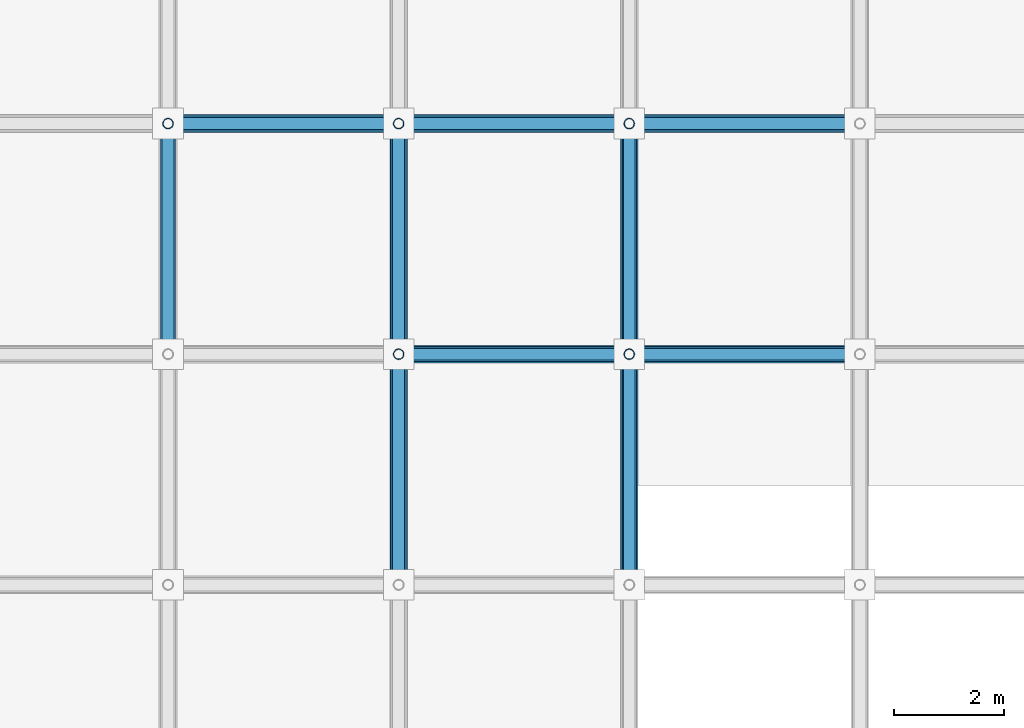
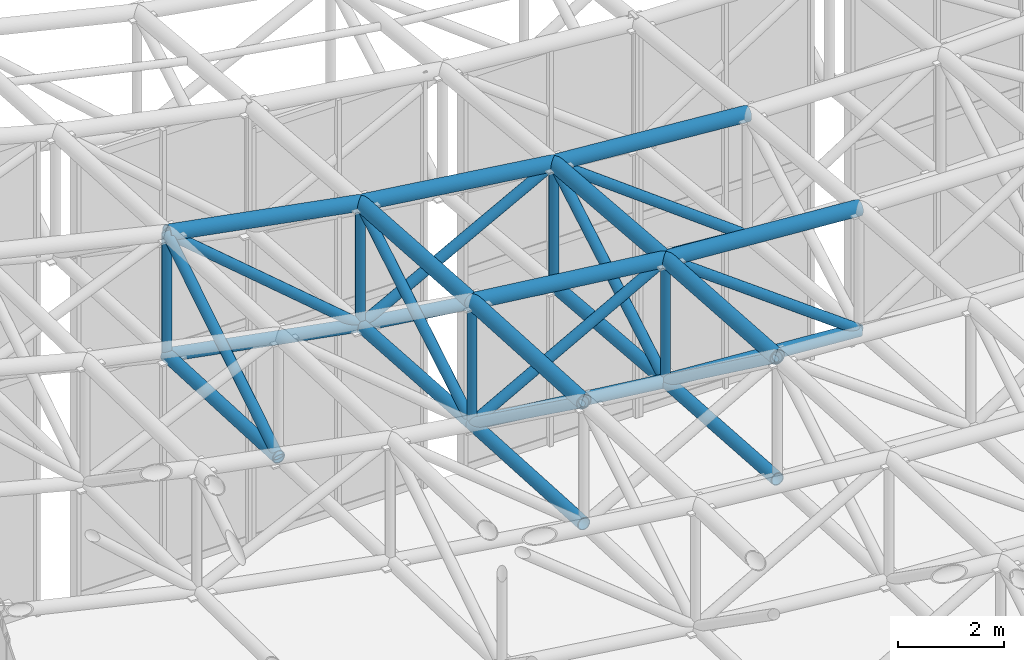
# One storey, part 30 of 93: 34 members.
"""IFC4 building model written with IfcOpenShell, lengths in metres."""

from ifc_helpers import new_model, si_unit, direction, frame, origin, origin_2d, place, context, subcontext, project, spatial, hollow_circle, extrude, material, material_profile, profile_set, type_object, element, save


model = new_model("IFC4")

# Units and contexts
model_context = context("Model", 3, precision=1e-05, world=origin(), true_north=direction((0.0, 1.0)))
body_context = subcontext(model_context, "Body", "Model", "MODEL_VIEW")
ifc_project = project(units=[si_unit("LENGTHUNIT", "METRE"), si_unit("AREAUNIT", "SQUARE_METRE"), si_unit("VOLUMEUNIT", "CUBIC_METRE"), si_unit("PLANEANGLEUNIT", "RADIAN"), si_unit("MASSUNIT", "GRAM", prefix="KILO")], contexts=[model_context])

# Site, building, storey
site_placement = place(None, origin())
site = spatial("IfcSite", under=ifc_project, at=site_placement, CompositionType="ELEMENT")
building_placement = place(site_placement, origin())
building = spatial("IfcBuilding", under=site, at=building_placement, Name="Cumbredor Promenade Congress Hotel", CompositionType="ELEMENT")
storey_placement = place(building_placement, frame((0.0, 0.0, 21.840087890625)))
storey = spatial("IfcBuildingStorey", under=building, at=storey_placement, Name="L06", CompositionType="ELEMENT", Elevation=21.840087890625)

# Members
ifc_material = material(Name="Steel ASTM A500 Grade C", Category="steel")
ifc_material_profile_1 = material_profile(ifc_material, hollow_circle(Radius=0.136474609375, WallThickness=0.01611328125, at=origin_2d()), Name="CHS 273.0x16")
ifc_profile_set_1 = profile_set([ifc_material_profile_1], Name="Steel ASTM A500 Grade C")
member_type_1 = type_object("IfcMemberType", Name="Plenary Roof Space Frame Bottom Chord", PredefinedType="CHORD", material=ifc_profile_set_1)
member_1_placement = place(storey_placement, frame((21.0, 58.800048828125, 7.8251953125), z_axis=(0.993116278673, 0.0, -0.117132647179), x_axis=(0.0, 1.0, 0.0)))
element("IfcMember", 1, at=member_1_placement, inside=storey, type_object=member_type_1, Name="Plenary Congress Hall X Bottom Chord 7.15", PredefinedType="CHORD", context=body_context, shape_type="SweptSolid", body=[
    extrude(hollow_circle(Radius=0.136474609375, WallThickness=0.01611328125, at=origin_2d()), origin(), (0.0, 0.0, 1.0), 4.22900390625),
])
member_2_placement = place(storey_placement, frame((25.199951171875, 58.800048828125, 7.329833984375), z_axis=(0.997507033779, 0.0, -0.070567113882), x_axis=(0.0, 1.0, 0.0)))
element("IfcMember", 2, at=member_2_placement, inside=storey, type_object=member_type_1, Name="Plenary Congress Hall X Bottom Chord 8.15", PredefinedType="CHORD", context=body_context, shape_type="SweptSolid", body=[
    extrude(hollow_circle(Radius=0.136474609375, WallThickness=0.01611328125, at=origin_2d()), origin(), (0.0, 0.0, 1.0), 4.21044921875),
])
member_3_placement = place(storey_placement, frame((16.800048828125, 63.0, 8.318115234375), z_axis=(0.98316659684, 0.0, -0.182711364884), x_axis=(0.0, 1.0, 0.0)))
element("IfcMember", 3, at=member_3_placement, inside=storey, type_object=member_type_1, Name="Plenary Congress Hall X Bottom Chord 6.16", PredefinedType="CHORD", context=body_context, shape_type="SweptSolid", body=[
    extrude(hollow_circle(Radius=0.136474609375, WallThickness=0.01611328125, at=origin_2d()), origin(), (0.0, 0.0, 1.0), 4.27197265625),
])
member_4_placement = place(storey_placement, frame((21.0, 63.0, 7.53759765625), z_axis=(0.991308740539, 0.0, -0.131555999224), x_axis=(0.0, 1.0, 0.0)))
element("IfcMember", 4, at=member_4_placement, inside=storey, type_object=member_type_1, Name="Plenary Congress Hall X Bottom Chord 7.16", PredefinedType="CHORD", context=body_context, shape_type="SweptSolid", body=[
    extrude(hollow_circle(Radius=0.136474609375, WallThickness=0.01611328125, at=origin_2d()), origin(), (0.0, 0.0, 1.0), 4.23681640625),
])
member_5_placement = place(storey_placement, frame((25.199951171875, 63.0, 6.980224609375), z_axis=(0.996848540379, 0.0, -0.079328352716), x_axis=(0.0, 1.0, 0.0)))
element("IfcMember", 5, at=member_5_placement, inside=storey, type_object=member_type_1, Name="Plenary Congress Hall X Bottom Chord 8.16", PredefinedType="CHORD", context=body_context, shape_type="SweptSolid", body=[
    extrude(hollow_circle(Radius=0.136474609375, WallThickness=0.01611328125, at=origin_2d()), origin(), (0.0, 0.0, 1.0), 4.213134765625),
])
member_6_placement = place(storey_placement, frame((16.800048828125, 58.800048828125, 8.5185546875), z_axis=(0.0, 0.998863140355, -0.047669978389), x_axis=(-1.0, 0.0, 0.0)))
element("IfcMember", 6, at=member_6_placement, inside=storey, type_object=member_type_1, Name="Plenary Congress Hall Y Bottom Chord 6.15", PredefinedType="CHORD", context=body_context, shape_type="SweptSolid", body=[
    extrude(hollow_circle(Radius=0.136474609375, WallThickness=0.01611328125, at=origin_2d()), origin(), (0.0, 0.0, 1.0), 4.204833984375),
])
member_7_placement = place(storey_placement, frame((21.0, 54.60009765625, 8.064697265625), z_axis=(0.0, 0.998378032968, -0.056932444942), x_axis=(-1.0, 0.0, 0.0)))
element("IfcMember", 7, at=member_7_placement, inside=storey, type_object=member_type_1, Name="Plenary Congress Hall Y Bottom Chord 7.14", PredefinedType="CHORD", context=body_context, shape_type="SweptSolid", body=[
    extrude(hollow_circle(Radius=0.136474609375, WallThickness=0.01611328125, at=origin_2d()), origin(), (0.0, 0.0, 1.0), 4.206787109375),
])
member_8_placement = place(storey_placement, frame((21.0, 58.800048828125, 7.8251953125), z_axis=(0.0, 0.997663702377, -0.068316447213), x_axis=(-1.0, 0.0, 0.0)))
element("IfcMember", 8, at=member_8_placement, inside=storey, type_object=member_type_1, Name="Plenary Congress Hall Y Bottom Chord 7.15", PredefinedType="CHORD", context=body_context, shape_type="SweptSolid", body=[
    extrude(hollow_circle(Radius=0.136474609375, WallThickness=0.01611328125, at=origin_2d()), origin(), (0.0, 0.0, 1.0), 4.209716796875),
])
member_9_placement = place(storey_placement, frame((25.199951171875, 54.60009765625, 7.62109375), z_axis=(0.0, 0.997604040351, -0.069182213575), x_axis=(-1.0, 0.0, 0.0)))
element("IfcMember", 9, at=member_9_placement, inside=storey, type_object=member_type_1, Name="Plenary Congress Hall Y Bottom Chord 8.14", PredefinedType="CHORD", context=body_context, shape_type="SweptSolid", body=[
    extrude(hollow_circle(Radius=0.136474609375, WallThickness=0.01611328125, at=origin_2d()), origin(), (0.0, 0.0, 1.0), 4.2099609375),
])
member_10_placement = place(storey_placement, frame((25.199951171875, 58.800048828125, 7.329833984375), z_axis=(0.0, 0.996553344784, -0.082954391079), x_axis=(-1.0, 0.0, 0.0)))
element("IfcMember", 10, at=member_10_placement, inside=storey, type_object=member_type_1, Name="Plenary Congress Hall Y Bottom Chord 8.15", PredefinedType="CHORD", context=body_context, shape_type="SweptSolid", body=[
    extrude(hollow_circle(Radius=0.136474609375, WallThickness=0.01611328125, at=origin_2d()), origin(), (0.0, 0.0, 1.0), 4.21435546875),
])
ifc_material_profile_2 = material_profile(ifc_material, hollow_circle(Radius=0.161865234375, WallThickness=0.01611328125, at=origin_2d()), Name="CHS 323.9x16")
ifc_profile_set_2 = profile_set([ifc_material_profile_2], Name="Steel ASTM A500 Grade C")
member_type_2 = type_object("IfcMemberType", Name="Plenary Roof Space Frame Top Chord", PredefinedType="CHORD", material=ifc_profile_set_2)
member_11_placement = place(storey_placement, frame((21.0, 58.800048828125, 10.625), z_axis=(0.993122992518, 0.0, -0.117075709401), x_axis=(0.0, 1.0, 0.0)))
element("IfcMember", 11, at=member_11_placement, inside=storey, type_object=member_type_2, Name="Plenary Congress Hall X Top Chord 7.15", PredefinedType="CHORD", context=body_context, shape_type="SweptSolid", body=[
    extrude(hollow_circle(Radius=0.161865234375, WallThickness=0.01611328125, at=origin_2d()), origin(), (0.0, 0.0, 1.0), 4.22900390625),
])
member_12_placement = place(storey_placement, frame((25.199951171875, 58.800048828125, 10.1298828125), z_axis=(0.997507033779, 0.0, -0.070567113882), x_axis=(0.0, 1.0, 0.0)))
element("IfcMember", 12, at=member_12_placement, inside=storey, type_object=member_type_2, Name="Plenary Congress Hall X Top Chord 8.15", PredefinedType="CHORD", context=body_context, shape_type="SweptSolid", body=[
    extrude(hollow_circle(Radius=0.161865234375, WallThickness=0.01611328125, at=origin_2d()), origin(), (0.0, 0.0, 1.0), 4.21044921875),
])
member_13_placement = place(storey_placement, frame((16.800048828125, 63.0, 11.1181640625), z_axis=(0.98316659684, 0.0, -0.182711364884), x_axis=(0.0, 1.0, 0.0)))
element("IfcMember", 13, at=member_13_placement, inside=storey, type_object=member_type_2, Name="Plenary Congress Hall X Top Chord 6.16", PredefinedType="CHORD", context=body_context, shape_type="SweptSolid", body=[
    extrude(hollow_circle(Radius=0.161865234375, WallThickness=0.01611328125, at=origin_2d()), origin(), (0.0, 0.0, 1.0), 4.27197265625),
])
member_14_placement = place(storey_placement, frame((21.0, 63.0, 10.337646484375), z_axis=(0.991308740539, 0.0, -0.131555999224), x_axis=(0.0, 1.0, 0.0)))
element("IfcMember", 14, at=member_14_placement, inside=storey, type_object=member_type_2, Name="Plenary Congress Hall X Top Chord 7.16", PredefinedType="CHORD", context=body_context, shape_type="SweptSolid", body=[
    extrude(hollow_circle(Radius=0.161865234375, WallThickness=0.01611328125, at=origin_2d()), origin(), (0.0, 0.0, 1.0), 4.23681640625),
])
member_15_placement = place(storey_placement, frame((25.199951171875, 63.0, 9.7802734375), z_axis=(0.996848540379, 0.0, -0.079328352716), x_axis=(0.0, 1.0, 0.0)))
element("IfcMember", 15, at=member_15_placement, inside=storey, type_object=member_type_2, Name="Plenary Congress Hall X Top Chord 8.16", PredefinedType="CHORD", context=body_context, shape_type="SweptSolid", body=[
    extrude(hollow_circle(Radius=0.161865234375, WallThickness=0.01611328125, at=origin_2d()), origin(), (0.0, 0.0, 1.0), 4.213134765625),
])
member_16_placement = place(storey_placement, frame((21.0, 54.60009765625, 10.864501953125), z_axis=(0.0, 0.998378032968, -0.056932444942), x_axis=(-1.0, 0.0, 0.0)))
element("IfcMember", 16, at=member_16_placement, inside=storey, type_object=member_type_2, Name="Plenary Congress Hall Y Top Chord 7.14", PredefinedType="CHORD", context=body_context, shape_type="SweptSolid", body=[
    extrude(hollow_circle(Radius=0.161865234375, WallThickness=0.01611328125, at=origin_2d()), origin(), (0.0, 0.0, 1.0), 4.206787109375),
])
member_17_placement = place(storey_placement, frame((21.0, 58.800048828125, 10.625), z_axis=(0.0, 0.997667653382, -0.068258723945), x_axis=(-1.0, 0.0, 0.0)))
element("IfcMember", 17, at=member_17_placement, inside=storey, type_object=member_type_2, Name="Plenary Congress Hall Y Top Chord 7.15", PredefinedType="CHORD", context=body_context, shape_type="SweptSolid", body=[
    extrude(hollow_circle(Radius=0.161865234375, WallThickness=0.01611328125, at=origin_2d()), origin(), (0.0, 0.0, 1.0), 4.209716796875),
])
member_18_placement = place(storey_placement, frame((25.199951171875, 54.60009765625, 10.421142578125), z_axis=(0.0, 0.997604040351, -0.069182213575), x_axis=(-1.0, 0.0, 0.0)))
element("IfcMember", 18, at=member_18_placement, inside=storey, type_object=member_type_2, Name="Plenary Congress Hall Y Top Chord 8.14", PredefinedType="CHORD", context=body_context, shape_type="SweptSolid", body=[
    extrude(hollow_circle(Radius=0.161865234375, WallThickness=0.01611328125, at=origin_2d()), origin(), (0.0, 0.0, 1.0), 4.2099609375),
])
member_19_placement = place(storey_placement, frame((25.199951171875, 58.800048828125, 10.1298828125), z_axis=(0.0, 0.996553344784, -0.082954391079), x_axis=(-1.0, 0.0, 0.0)))
element("IfcMember", 19, at=member_19_placement, inside=storey, type_object=member_type_2, Name="Plenary Congress Hall Y Top Chord 8.15", PredefinedType="CHORD", context=body_context, shape_type="SweptSolid", body=[
    extrude(hollow_circle(Radius=0.161865234375, WallThickness=0.01611328125, at=origin_2d()), origin(), (0.0, 0.0, 1.0), 4.21435546875),
])
ifc_material_profile_3 = material_profile(ifc_material, hollow_circle(Radius=0.109619140625, WallThickness=0.012451171875, at=origin_2d()), Name="CHS 219.1x12.5")
ifc_profile_set_3 = profile_set([ifc_material_profile_3], Name="Steel ASTM A500 Grade C")
member_type_3 = type_object("IfcMemberType", Name="Space Frame Web Diagonal D1", PredefinedType="BRACE", material=ifc_profile_set_3)
member_20_placement = place(storey_placement, frame((21.0, 58.800048828125, 7.8251953125), z_axis=(0.876681386085, 0.0, 0.481071457574), x_axis=(0.0, 1.0, 0.0)))
element("IfcMember", 20, at=member_20_placement, inside=storey, type_object=member_type_3, Name="Plenary Congress Hall X Web Diagonal 7.15", PredefinedType="BRACE", context=body_context, shape_type="SweptSolid", body=[
    extrude(hollow_circle(Radius=0.109619140625, WallThickness=0.012451171875, at=origin_2d()), origin(), (0.0, 0.0, 1.0), 4.790771484375),
])
member_21_placement = place(storey_placement, frame((25.199951171875, 58.800048828125, 10.1298828125), z_axis=(0.804830004985, 0.0, -0.593505402735), x_axis=(0.0, 1.0, 0.0)))
element("IfcMember", 21, at=member_21_placement, inside=storey, type_object=member_type_3, Name="Plenary Congress Hall X Web Diagonal 8.15", PredefinedType="BRACE", context=body_context, shape_type="SweptSolid", body=[
    extrude(hollow_circle(Radius=0.109619140625, WallThickness=0.012451171875, at=origin_2d()), origin(), (0.0, 0.0, 1.0), 5.218505859375),
])
member_22_placement = place(storey_placement, frame((16.800048828125, 63.0, 11.1181640625), z_axis=(0.760990029258, 0.0, -0.648763574324), x_axis=(0.0, 1.0, 0.0)))
element("IfcMember", 22, at=member_22_placement, inside=storey, type_object=member_type_3, Name="Plenary Congress Hall X Web Diagonal 6.16", PredefinedType="BRACE", context=body_context, shape_type="SweptSolid", body=[
    extrude(hollow_circle(Radius=0.109619140625, WallThickness=0.012451171875, at=origin_2d()), origin(), (0.0, 0.0, 1.0), 5.51904296875),
])
member_23_placement = place(storey_placement, frame((21.0, 63.0, 7.53759765625), z_axis=(0.882117205046, 0.0, 0.471029974165), x_axis=(0.0, 1.0, 0.0)))
element("IfcMember", 23, at=member_23_placement, inside=storey, type_object=member_type_3, Name="Plenary Congress Hall X Web Diagonal 7.16", PredefinedType="BRACE", context=body_context, shape_type="SweptSolid", body=[
    extrude(hollow_circle(Radius=0.109619140625, WallThickness=0.012451171875, at=origin_2d()), origin(), (0.0, 0.0, 1.0), 4.76123046875),
])
member_24_placement = place(storey_placement, frame((25.199951171875, 63.0, 9.7802734375), z_axis=(0.801434446423, 0.0, -0.598082626471), x_axis=(0.0, 1.0, 0.0)))
element("IfcMember", 24, at=member_24_placement, inside=storey, type_object=member_type_3, Name="Plenary Congress Hall X Web Diagonal 8.16", PredefinedType="BRACE", context=body_context, shape_type="SweptSolid", body=[
    extrude(hollow_circle(Radius=0.109619140625, WallThickness=0.012451171875, at=origin_2d()), origin(), (0.0, 0.0, 1.0), 5.240478515625),
])
member_25_placement = place(storey_placement, frame((16.800048828125, 58.800048828125, 8.5185546875), z_axis=(0.0, 0.850297799479, 0.526301864143), x_axis=(-1.0, 0.0, 0.0)))
element("IfcMember", 25, at=member_25_placement, inside=storey, type_object=member_type_3, Name="Plenary Congress Hall Y Web Diagonal 6.15", PredefinedType="BRACE", context=body_context, shape_type="SweptSolid", body=[
    extrude(hollow_circle(Radius=0.109619140625, WallThickness=0.012451171875, at=origin_2d()), origin(), (0.0, 0.0, 1.0), 4.939453125),
])
member_26_placement = place(storey_placement, frame((21.0, 54.60009765625, 10.864501953125), z_axis=(0.0, 0.810128759959, -0.586251987022), x_axis=(-1.0, 0.0, 0.0)))
element("IfcMember", 26, at=member_26_placement, inside=storey, type_object=member_type_3, Name="Plenary Congress Hall Y Web Diagonal 7.14", PredefinedType="BRACE", context=body_context, shape_type="SweptSolid", body=[
    extrude(hollow_circle(Radius=0.109619140625, WallThickness=0.012451171875, at=origin_2d()), origin(), (0.0, 0.0, 1.0), 5.184326171875),
])
member_27_placement = place(storey_placement, frame((21.0, 58.800048828125, 7.8251953125), z_axis=(0.0, 0.858170029326, 0.513365562506), x_axis=(-1.0, 0.0, 0.0)))
element("IfcMember", 27, at=member_27_placement, inside=storey, type_object=member_type_3, Name="Plenary Congress Hall Y Web Diagonal 7.15", PredefinedType="BRACE", context=body_context, shape_type="SweptSolid", body=[
    extrude(hollow_circle(Radius=0.109619140625, WallThickness=0.012451171875, at=origin_2d()), origin(), (0.0, 0.0, 1.0), 4.89404296875),
])
member_28_placement = place(storey_placement, frame((25.199951171875, 54.60009765625, 10.421142578125), z_axis=(0.0, 0.805366373182, -0.592777365415), x_axis=(-1.0, 0.0, 0.0)))
element("IfcMember", 28, at=member_28_placement, inside=storey, type_object=member_type_3, Name="Plenary Congress Hall Y Web Diagonal 8.14", PredefinedType="BRACE", context=body_context, shape_type="SweptSolid", body=[
    extrude(hollow_circle(Radius=0.109619140625, WallThickness=0.012451171875, at=origin_2d()), origin(), (0.0, 0.0, 1.0), 5.21484375),
])
member_29_placement = place(storey_placement, frame((25.199951171875, 58.800048828125, 7.329833984375), z_axis=(0.0, 0.86373701413, 0.503942824555), x_axis=(-1.0, 0.0, 0.0)))
element("IfcMember", 29, at=member_29_placement, inside=storey, type_object=member_type_3, Name="Plenary Congress Hall Y Web Diagonal 8.15", PredefinedType="BRACE", context=body_context, shape_type="SweptSolid", body=[
    extrude(hollow_circle(Radius=0.109619140625, WallThickness=0.012451171875, at=origin_2d()), origin(), (0.0, 0.0, 1.0), 4.862548828125),
])
ifc_material_profile_4 = material_profile(ifc_material, hollow_circle(Radius=0.096923828125, WallThickness=0.010009765625, at=origin_2d()), Name="CHS 193.7x10")
ifc_profile_set_4 = profile_set([ifc_material_profile_4], Name="Steel ASTM A500 Grade C")
member_type_4 = type_object("IfcMemberType", Name="Space Frame Web Post P1", PredefinedType="BRACE", material=ifc_profile_set_4)
member_30_placement = place(storey_placement, frame((16.800048828125, 63.0, 8.318115234375), z_axis=(0.0, 0.0, 1.0), x_axis=(1.0, 0.0, 0.0)))
element("IfcMember", 30, at=member_30_placement, inside=storey, type_object=member_type_4, Name="Plenary Congress Hall Space Frame Web Post 6.16", PredefinedType="BRACE", context=body_context, shape_type="SweptSolid", body=[
    extrude(hollow_circle(Radius=0.096923828125, WallThickness=0.010009765625, at=origin_2d()), origin(), (0.0, 0.0, 1.0), 2.800048828125),
])
member_31_placement = place(storey_placement, frame((21.0, 58.800048828125, 7.8251953125), z_axis=(0.0, 0.0, 1.0), x_axis=(1.0, 0.0, 0.0)))
element("IfcMember", 31, at=member_31_placement, inside=storey, type_object=member_type_4, Name="Plenary Congress Hall Space Frame Web Post 7.15", PredefinedType="BRACE", context=body_context, shape_type="SweptSolid", body=[
    extrude(hollow_circle(Radius=0.096923828125, WallThickness=0.010009765625, at=origin_2d()), origin(), (0.0, 0.0, 1.0), 2.7998046875),
])
for number, where, z_axis, x_axis, name in (
    (32, (21.0, 63.0, 7.53759765625), (0.0, 0.0, 1.0), (1.0, 0.0, 0.0), "Plenary Congress Hall Space Frame Web Post 7.16"),
    (33, (25.199951171875, 58.800048828125, 7.329833984375), (0.0, 0.0, 1.0), (1.0, 0.0, 0.0), "Plenary Congress Hall Space Frame Web Post 8.15"),
    (34, (25.199951171875, 63.0, 6.980224609375), (0.0, 0.0, 1.0), (1.0, 0.0, 0.0), "Plenary Congress Hall Space Frame Web Post 8.16"),
):
    element("IfcMember", number, at=place(storey_placement, frame(where, z_axis=z_axis, x_axis=x_axis)), inside=storey, type_object=member_type_4, Name=name, PredefinedType="BRACE", context=body_context, shape_type="SweptSolid", body=[
        extrude(hollow_circle(Radius=0.096923828125, WallThickness=0.010009765625, at=origin_2d()), origin(), (0.0, 0.0, 1.0), 2.800048828125),
    ])

save(model, "model.ifc")
